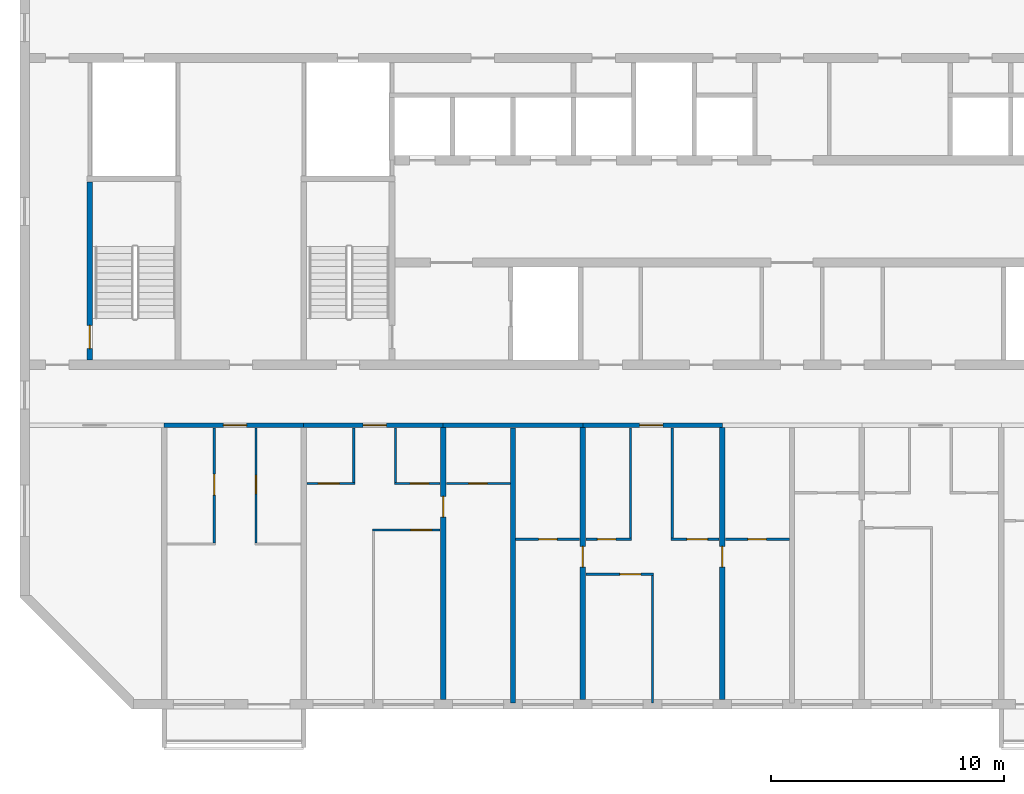
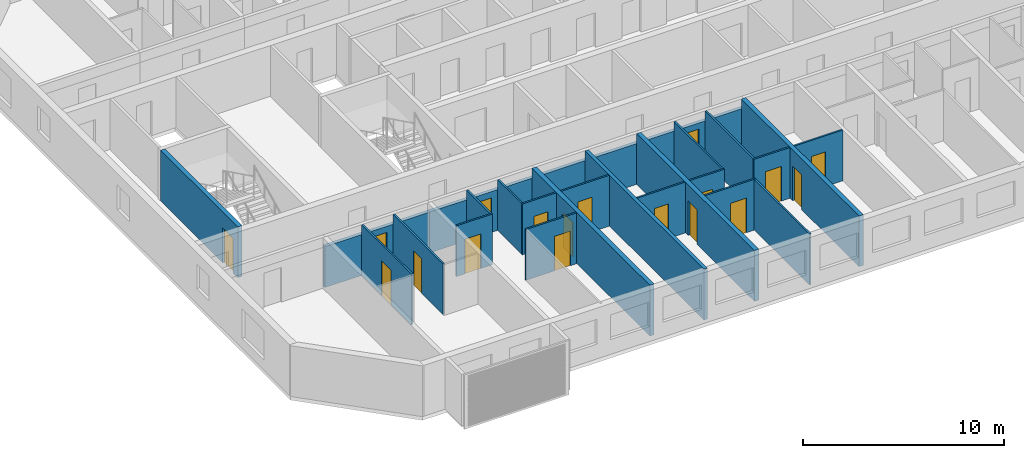
# One storey, part 2 of 28: 25 walls, 18 doors, 18 openings.
"""IFC4 building model written with IfcOpenShell, lengths in metres."""

from ifc_helpers import new_model, si_unit, direction, frame, frame_2d, origin, place, context, subcontext, project, spatial, rectangle, extrude, material, layer, layer_set, type_object, element, fill, save


model = new_model("IFC4")

# Units and contexts
model_context = context("Model", 3, precision=1e-05, world=origin(), true_north=direction((0.0, 1.0)))
body_context = subcontext(model_context, "Body", "Model", "MODEL_VIEW")
ifc_project = project(units=[si_unit("LENGTHUNIT", "METRE"), si_unit("AREAUNIT", "SQUARE_METRE"), si_unit("VOLUMEUNIT", "CUBIC_METRE"), si_unit("PLANEANGLEUNIT", "RADIAN"), si_unit("MASSUNIT", "GRAM", prefix="KILO")], contexts=[model_context])

# Site, building, storey
site_placement = place(None, origin())
site = spatial("IfcSite", under=ifc_project, at=site_placement, CompositionType="ELEMENT")
building_placement = place(site_placement, origin())
building = spatial("IfcBuilding", under=site, at=building_placement, Name="Poui Terraces", CompositionType="ELEMENT")
storey_placement = place(building_placement, frame((0.0, 0.0, 188.39990234375)))
storey = spatial("IfcBuildingStorey", under=building, at=storey_placement, Name="L52", CompositionType="ELEMENT", Elevation=188.39990234375)

# Wall, opening, door
ifc_material_1 = material(Name="Concrete 50 MPa", Category="concrete")
ifc_layer_1 = layer(ifc_material_1, 0.199951171875)
ifc_layer_set_1 = layer_set([ifc_layer_1], Name="Concrete 50 MPa")
wall_type_1 = type_object("IfcWallType", Name="CORRIDOR WALL 200 50MPa", PredefinedType="SHEAR", material=ifc_layer_set_1)
wall_1_placement = place(storey_placement, frame((24.0, 12.0, 0.0), z_axis=(0.0, 0.0, 1.0), x_axis=(1.0, 0.0, 0.0)))
wall_1 = element("IfcWall", 1, at=wall_1_placement, inside=storey, type_object=wall_type_1, Name="CORRIDOR WALL LINE B BAY 2", PredefinedType="SHEAR", context=body_context, shape_type="SweptSolid", body=[
    extrude(rectangle(XDim=6.0, YDim=0.199951171875, at=frame_2d((3.0, 0.0))), origin(), (0.0, 0.0, 1.0), 2.47998046875),
])
opening_1_placement = place(wall_1_placement, frame((2.550048828125, 0.0, 0.0)))
opening_1 = element("IfcOpeningElement", 2, at=opening_1_placement, cuts=wall_1, Name="Opening FD30S", PredefinedType="OPENING", context=body_context, shape_type="SweptSolid", body=[
    extrude(rectangle(XDim=1.0, YDim=2.10009765625, at=frame_2d((0.5, 1.050048828125))), frame((0.0, 0.10986328125, 0.0), z_axis=(0.0, -1.0, 0.0), x_axis=(1.0, 0.0, 0.0)), (0.0, 0.0, 1.0), 0.219970703125),
])
ifc_material_2 = material(Name="Steel fire door", Category="steel")
door_type_1 = type_object("IfcDoorType", Name="FLAT ENTRANCE DOOR 1000 X 2100", OperationType="NOTDEFINED", PredefinedType="DOOR", material=ifc_material_2)
door_1_placement = place(opening_1_placement, frame((1.0, 0.0, 0.0), z_axis=(0.0, 0.0, 1.0), x_axis=(-1.0, 0.0, 0.0)))
door_1 = element("IfcDoor", 3, at=door_1_placement, inside=storey, type_object=door_type_1, Name="FLAT ENTRANCE DOOR 066", OperationType="SINGLE_SWING_LEFT", OverallHeight=2.10009765625, OverallWidth=1.0, PredefinedType="DOOR", context=body_context, shape_type="SweptSolid", body=[
    extrude(rectangle(XDim=1.0, YDim=2.10009765625, at=frame_2d((0.5, 1.050048828125))), frame((0.0, 0.02490234375, 0.0), z_axis=(0.0, -1.0, 0.0), x_axis=(1.0, 0.0, 0.0)), (0.0, 0.0, 1.0), 0.050048828125),
])
fill(opening_1, door_1)

wall_2_placement = place(storey_placement, frame((30.0, 12.0, 0.0), z_axis=(0.0, 0.0, 1.0), x_axis=(1.0, 0.0, 0.0)))
wall_2 = element("IfcWall", 4, at=wall_2_placement, inside=storey, type_object=wall_type_1, Name="CORRIDOR WALL LINE B BAY 3", PredefinedType="SHEAR", context=body_context, shape_type="SweptSolid", body=[
    extrude(rectangle(XDim=6.0, YDim=0.199951171875, at=frame_2d((3.0, 0.0))), origin(), (0.0, 0.0, 1.0), 2.47998046875),
])
opening_2_placement = place(wall_2_placement, frame((2.550048828125, 0.0, 0.0)))
opening_2 = element("IfcOpeningElement", 5, at=opening_2_placement, cuts=wall_2, Name="Opening FD30S", PredefinedType="OPENING", context=body_context, shape_type="SweptSolid", body=[
    extrude(rectangle(XDim=1.0, YDim=2.10009765625, at=frame_2d((0.5, 1.050048828125))), frame((0.0, 0.10986328125, 0.0), z_axis=(0.0, -1.0, 0.0), x_axis=(1.0, 0.0, 0.0)), (0.0, 0.0, 1.0), 0.219970703125),
])
door_2_placement = place(opening_2_placement, frame((1.0, 0.0, 0.0), z_axis=(0.0, 0.0, 1.0), x_axis=(-1.0, 0.0, 0.0)))
door_2 = element("IfcDoor", 6, at=door_2_placement, inside=storey, type_object=door_type_1, Name="FLAT ENTRANCE DOOR 070", OperationType="SINGLE_SWING_LEFT", OverallHeight=2.10009765625, OverallWidth=1.0, PredefinedType="DOOR", context=body_context, shape_type="SweptSolid", body=[
    extrude(rectangle(XDim=1.0, YDim=2.10009765625, at=frame_2d((0.5, 1.050048828125))), frame((0.0, 0.02490234375, 0.0), z_axis=(0.0, -1.0, 0.0), x_axis=(1.0, 0.0, 0.0)), (0.0, 0.0, 1.0), 0.050048828125),
])
fill(opening_2, door_2)

# Wall
wall_3_placement = place(storey_placement, frame((36.0, 12.0, 0.0), z_axis=(0.0, 0.0, 1.0), x_axis=(1.0, 0.0, 0.0)))
element("IfcWall", 7, at=wall_3_placement, inside=storey, type_object=wall_type_1, Name="CORRIDOR WALL LINE B BAY 4", PredefinedType="SHEAR", context=body_context, shape_type="SweptSolid", body=[
    extrude(rectangle(XDim=6.0, YDim=0.199951171875, at=frame_2d((3.0, 0.0))), origin(), (0.0, 0.0, 1.0), 2.47998046875),
])

# Wall, opening, door
wall_4_placement = place(storey_placement, frame((42.0, 12.0, 0.0), z_axis=(0.0, 0.0, 1.0), x_axis=(1.0, 0.0, 0.0)))
wall_4 = element("IfcWall", 8, at=wall_4_placement, inside=storey, type_object=wall_type_1, Name="CORRIDOR WALL LINE B BAY 5", PredefinedType="SHEAR", context=body_context, shape_type="SweptSolid", body=[
    extrude(rectangle(XDim=6.0, YDim=0.199951171875, at=frame_2d((3.0, 0.0))), origin(), (0.0, 0.0, 1.0), 2.47998046875),
])
opening_3_placement = place(wall_4_placement, frame((2.449951171875, 0.0, 0.0)))
opening_3 = element("IfcOpeningElement", 9, at=opening_3_placement, cuts=wall_4, Name="Opening FD30S", PredefinedType="OPENING", context=body_context, shape_type="SweptSolid", body=[
    extrude(rectangle(XDim=1.0, YDim=2.10009765625, at=frame_2d((0.5, 1.050048828125))), frame((0.0, 0.10986328125, 0.0), z_axis=(0.0, -1.0, 0.0), x_axis=(1.0, 0.0, 0.0)), (0.0, 0.0, 1.0), 0.219970703125),
])
door_3_placement = place(opening_3_placement, frame((1.0, 0.0, 0.0), z_axis=(0.0, 0.0, 1.0), x_axis=(-1.0, 0.0, 0.0)))
door_3 = element("IfcDoor", 10, at=door_3_placement, inside=storey, type_object=door_type_1, Name="FLAT ENTRANCE DOOR 079", OperationType="SINGLE_SWING_RIGHT", OverallHeight=2.10009765625, OverallWidth=1.0, PredefinedType="DOOR", context=body_context, shape_type="SweptSolid", body=[
    extrude(rectangle(XDim=1.0, YDim=2.10009765625, at=frame_2d((0.5, 1.050048828125))), frame((0.0, 0.02490234375, 0.0), z_axis=(0.0, -1.0, 0.0), x_axis=(1.0, 0.0, 0.0)), (0.0, 0.0, 1.0), 0.050048828125),
])
fill(opening_3, door_3)

ifc_layer_2 = layer(ifc_material_1, 0.25)
ifc_layer_set_2 = layer_set([ifc_layer_2], Name="Concrete 50 MPa")
wall_type_2 = type_object("IfcWallType", Name="CROSS WALL 250 50MPa", PredefinedType="SHEAR", material=ifc_layer_set_2)
wall_5_placement = place(storey_placement, frame((36.0, 0.199951171875, 0.0), z_axis=(0.0, 0.0, 1.0), x_axis=(0.0, 1.0, 0.0)))
wall_5 = element("IfcWall", 11, at=wall_5_placement, inside=storey, type_object=wall_type_2, Name="CROSS WALL LINE 7 SOUTH", PredefinedType="SHEAR", context=body_context, shape_type="SweptSolid", body=[
    extrude(rectangle(XDim=11.699951171875, YDim=0.25, at=frame_2d((5.85009765625, 0.0))), origin(), (0.0, 0.0, 1.0), 3.080078125),
])
opening_4_placement = place(wall_5_placement, frame((7.85009765625, 0.0, 0.0)))
opening_4 = element("IfcOpeningElement", 12, at=opening_4_placement, cuts=wall_5, Name="Opening D90", PredefinedType="OPENING", context=body_context, shape_type="SweptSolid", body=[
    extrude(rectangle(XDim=0.89990234375, YDim=2.10009765625, at=frame_2d((0.449951171875, 1.050048828125))), frame((0.0, 0.135009765625, 0.0), z_axis=(0.0, -1.0, 0.0), x_axis=(1.0, 0.0, 0.0)), (0.0, 0.0, 1.0), 0.27001953125),
])
ifc_material_3 = material(Name="Solid core timber door", Category="wood")
door_type_2 = type_object("IfcDoorType", Name="INTERNAL DOOR 900 X 2100", OperationType="NOTDEFINED", PredefinedType="DOOR", material=ifc_material_3)
door_4_placement = place(opening_4_placement, frame((0.89990234375, 0.0, 0.0), z_axis=(0.0, 0.0, 1.0), x_axis=(-1.0, 0.0, 0.0)))
door_4 = element("IfcDoor", 13, at=door_4_placement, inside=storey, type_object=door_type_2, Name="INTERNAL DOOR 073", OperationType="SINGLE_SWING_LEFT", OverallHeight=2.10009765625, OverallWidth=0.89990234375, PredefinedType="DOOR", context=body_context, shape_type="SweptSolid", body=[
    extrude(rectangle(XDim=0.89990234375, YDim=2.10009765625, at=frame_2d((0.449951171875, 1.050048828125))), frame((0.0, 0.02490234375, 0.0), z_axis=(0.0, -1.0, 0.0), x_axis=(1.0, 0.0, 0.0)), (0.0, 0.0, 1.0), 0.050048828125),
])
fill(opening_4, door_4)

wall_6_placement = place(storey_placement, frame((42.0, 0.199951171875, 0.0), z_axis=(0.0, 0.0, 1.0), x_axis=(0.0, 1.0, 0.0)))
wall_6 = element("IfcWall", 14, at=wall_6_placement, inside=storey, type_object=wall_type_2, Name="CROSS WALL LINE 8 SOUTH", PredefinedType="SHEAR", context=body_context, shape_type="SweptSolid", body=[
    extrude(rectangle(XDim=11.699951171875, YDim=0.25, at=frame_2d((5.85009765625, 0.0))), origin(), (0.0, 0.0, 1.0), 3.080078125),
])
opening_5_placement = place(wall_6_placement, frame((5.699951171875, 0.0, 0.0)))
opening_5 = element("IfcOpeningElement", 15, at=opening_5_placement, cuts=wall_6, Name="Opening D90", PredefinedType="OPENING", context=body_context, shape_type="SweptSolid", body=[
    extrude(rectangle(XDim=0.89990234375, YDim=2.10009765625, at=frame_2d((0.449951171875, 1.050048828125))), frame((0.0, 0.135009765625, 0.0), z_axis=(0.0, -1.0, 0.0), x_axis=(1.0, 0.0, 0.0)), (0.0, 0.0, 1.0), 0.27001953125),
])
door_5_placement = place(opening_5_placement, origin())
door_5 = element("IfcDoor", 16, at=door_5_placement, inside=storey, type_object=door_type_2, Name="INTERNAL DOOR 076", OperationType="SINGLE_SWING_RIGHT", OverallHeight=2.10009765625, OverallWidth=0.89990234375, PredefinedType="DOOR", context=body_context, shape_type="SweptSolid", body=[
    extrude(rectangle(XDim=0.89990234375, YDim=2.10009765625, at=frame_2d((0.449951171875, 1.050048828125))), frame((0.0, 0.02490234375, 0.0), z_axis=(0.0, -1.0, 0.0), x_axis=(1.0, 0.0, 0.0)), (0.0, 0.0, 1.0), 0.050048828125),
])
fill(opening_5, door_5)

wall_7_placement = place(storey_placement, frame((48.0, 0.199951171875, 0.0), z_axis=(0.0, 0.0, 1.0), x_axis=(0.0, 1.0, 0.0)))
wall_7 = element("IfcWall", 17, at=wall_7_placement, inside=storey, type_object=wall_type_2, Name="CROSS WALL LINE 9 SOUTH", PredefinedType="SHEAR", context=body_context, shape_type="SweptSolid", body=[
    extrude(rectangle(XDim=11.699951171875, YDim=0.25, at=frame_2d((5.85009765625, 0.0))), origin(), (0.0, 0.0, 1.0), 3.080078125),
])
opening_6_placement = place(wall_7_placement, frame((5.699951171875, 0.0, 0.0)))
opening_6 = element("IfcOpeningElement", 18, at=opening_6_placement, cuts=wall_7, Name="Opening D90", PredefinedType="OPENING", context=body_context, shape_type="SweptSolid", body=[
    extrude(rectangle(XDim=0.89990234375, YDim=2.10009765625, at=frame_2d((0.449951171875, 1.050048828125))), frame((0.0, 0.135009765625, 0.0), z_axis=(0.0, -1.0, 0.0), x_axis=(1.0, 0.0, 0.0)), (0.0, 0.0, 1.0), 0.27001953125),
])
door_6_placement = place(opening_6_placement, frame((0.89990234375, 0.0, 0.0), z_axis=(0.0, 0.0, 1.0), x_axis=(-1.0, 0.0, 0.0)))
door_6 = element("IfcDoor", 19, at=door_6_placement, inside=storey, type_object=door_type_2, Name="INTERNAL DOOR 081", OperationType="SINGLE_SWING_LEFT", OverallHeight=2.10009765625, OverallWidth=0.89990234375, PredefinedType="DOOR", context=body_context, shape_type="SweptSolid", body=[
    extrude(rectangle(XDim=0.89990234375, YDim=2.10009765625, at=frame_2d((0.449951171875, 1.050048828125))), frame((0.0, 0.02490234375, 0.0), z_axis=(0.0, -1.0, 0.0), x_axis=(1.0, 0.0, 0.0)), (0.0, 0.0, 1.0), 0.050048828125),
])
fill(opening_6, door_6)

ifc_material_4 = material(Name="Plasterboard partition")
ifc_layer_3 = layer(ifc_material_4, 0.10009765625)
ifc_layer_set_3 = layer_set([ifc_layer_3], Name="Plasterboard partition")
wall_type_3 = type_object("IfcWallType", Name="FLAT PARTITION 100", PredefinedType="PARTITIONING", material=ifc_layer_set_3)
wall_8_placement = place(storey_placement, frame((42.135009765625, 5.60009765625, 0.0), z_axis=(0.0, 0.0, 1.0), x_axis=(1.0, 0.0, 0.0)))
wall_8 = element("IfcWall", 20, at=wall_8_placement, inside=storey, type_object=wall_type_3, Name="FLAT PARTITION 100", PredefinedType="PARTITIONING", context=body_context, shape_type="SweptSolid", body=[
    extrude(rectangle(XDim=2.9150390625, YDim=0.10009765625, at=frame_2d((1.45751953125, 0.0))), origin(), (0.0, 0.0, 1.0), 3.080078125),
])
opening_7_placement = place(wall_8_placement, frame((1.465087890625, 0.0, 0.0)))
opening_7 = element("IfcOpeningElement", 21, at=opening_7_placement, cuts=wall_8, Name="Opening D90", PredefinedType="OPENING", context=body_context, shape_type="SweptSolid", body=[
    extrude(rectangle(XDim=0.89990234375, YDim=2.10009765625, at=frame_2d((0.449951171875, 1.050048828125))), frame((0.0, 0.06005859375, 0.0), z_axis=(0.0, -1.0, 0.0), x_axis=(1.0, 0.0, 0.0)), (0.0, 0.0, 1.0), 0.1201171875),
])
door_7_placement = place(opening_7_placement, origin())
door_7 = element("IfcDoor", 22, at=door_7_placement, inside=storey, type_object=door_type_2, Name="INTERNAL DOOR 078", OperationType="SINGLE_SWING_LEFT", OverallHeight=2.10009765625, OverallWidth=0.89990234375, PredefinedType="DOOR", context=body_context, shape_type="SweptSolid", body=[
    extrude(rectangle(XDim=0.89990234375, YDim=2.10009765625, at=frame_2d((0.449951171875, 1.050048828125))), frame((0.0, 0.02490234375, 0.0), z_axis=(0.0, -1.0, 0.0), x_axis=(1.0, 0.0, 0.0)), (0.0, 0.0, 1.0), 0.050048828125),
])
fill(opening_7, door_7)

wall_9_placement = place(storey_placement, frame((39.10009765625, 7.10009765625, 0.0), z_axis=(0.0, 0.0, 1.0), x_axis=(1.0, 0.0, 0.0)))
wall_9 = element("IfcWall", 23, at=wall_9_placement, inside=storey, type_object=wall_type_3, Name="FLAT PARTITION 100", PredefinedType="PARTITIONING", context=body_context, shape_type="SweptSolid", body=[
    extrude(rectangle(XDim=2.764892578125, YDim=0.10009765625, at=frame_2d((1.38232421875, 0.0))), origin(), (0.0, 0.0, 1.0), 3.080078125),
])
opening_8_placement = place(wall_9_placement, frame((1.0, 0.0, 0.0)))
opening_8 = element("IfcOpeningElement", 24, at=opening_8_placement, cuts=wall_9, Name="Opening D80", PredefinedType="OPENING", context=body_context, shape_type="SweptSolid", body=[
    extrude(rectangle(XDim=0.800048828125, YDim=2.10009765625, at=frame_2d((0.39990234375, 1.050048828125))), frame((0.0, 0.06005859375, 0.0), z_axis=(0.0, -1.0, 0.0), x_axis=(1.0, 0.0, 0.0)), (0.0, 0.0, 1.0), 0.1201171875),
])
door_type_3 = type_object("IfcDoorType", Name="BATHROOM, LAUNDRY AND STORE DOOR 800 X 2100", OperationType="NOTDEFINED", PredefinedType="DOOR", material=ifc_material_3)
door_8_placement = place(opening_8_placement, origin())
door_8 = element("IfcDoor", 25, at=door_8_placement, inside=storey, type_object=door_type_3, Name="BATHROOM, LAUNDRY AND STORE DOOR 074", OperationType="SINGLE_SWING_RIGHT", OverallHeight=2.10009765625, OverallWidth=0.800048828125, PredefinedType="DOOR", context=body_context, shape_type="SweptSolid", body=[
    extrude(rectangle(XDim=0.800048828125, YDim=2.10009765625, at=frame_2d((0.39990234375, 1.050048828125))), frame((0.0, 0.02490234375, 0.0), z_axis=(0.0, -1.0, 0.0), x_axis=(1.0, 0.0, 0.0)), (0.0, 0.0, 1.0), 0.050048828125),
])
fill(opening_8, door_8)

wall_10_placement = place(storey_placement, frame((42.135009765625, 7.10009765625, 0.0), z_axis=(0.0, 0.0, 1.0), x_axis=(1.0, 0.0, 0.0)))
wall_10 = element("IfcWall", 26, at=wall_10_placement, inside=storey, type_object=wall_type_3, Name="FLAT PARTITION 100", PredefinedType="PARTITIONING", context=body_context, shape_type="SweptSolid", body=[
    extrude(rectangle(XDim=1.965087890625, YDim=0.10009765625, at=frame_2d((0.982421875, 0.0))), origin(), (0.0, 0.0, 1.0), 3.080078125),
])
opening_9_placement = place(wall_10_placement, frame((0.489990234375, 0.0, 0.0)))
opening_9 = element("IfcOpeningElement", 27, at=opening_9_placement, cuts=wall_10, Name="Opening D80", PredefinedType="OPENING", context=body_context, shape_type="SweptSolid", body=[
    extrude(rectangle(XDim=0.800048828125, YDim=2.10009765625, at=frame_2d((0.39990234375, 1.050048828125))), frame((0.0, 0.06005859375, 0.0), z_axis=(0.0, -1.0, 0.0), x_axis=(1.0, 0.0, 0.0)), (0.0, 0.0, 1.0), 0.1201171875),
])
door_9_placement = place(opening_9_placement, origin())
door_9 = element("IfcDoor", 28, at=door_9_placement, inside=storey, type_object=door_type_3, Name="BATHROOM, LAUNDRY AND STORE DOOR 077", OperationType="SINGLE_SWING_RIGHT", OverallHeight=2.10009765625, OverallWidth=0.800048828125, PredefinedType="DOOR", context=body_context, shape_type="SweptSolid", body=[
    extrude(rectangle(XDim=0.800048828125, YDim=2.10009765625, at=frame_2d((0.39990234375, 1.050048828125))), frame((0.0, 0.02490234375, 0.0), z_axis=(0.0, -1.0, 0.0), x_axis=(1.0, 0.0, 0.0)), (0.0, 0.0, 1.0), 0.050048828125),
])
fill(opening_9, door_9)

wall_11_placement = place(storey_placement, frame((45.800048828125, 7.10009765625, 0.0), z_axis=(0.0, 0.0, 1.0), x_axis=(1.0, 0.0, 0.0)))
wall_11 = element("IfcWall", 29, at=wall_11_placement, inside=storey, type_object=wall_type_3, Name="FLAT PARTITION 100", PredefinedType="PARTITIONING", context=body_context, shape_type="SweptSolid", body=[
    extrude(rectangle(XDim=2.06494140625, YDim=0.10009765625, at=frame_2d((1.032470703125, 0.0))), origin(), (0.0, 0.0, 1.0), 3.080078125),
])
opening_10_placement = place(wall_11_placement, frame((0.675048828125, 0.0, 0.0)))
opening_10 = element("IfcOpeningElement", 30, at=opening_10_placement, cuts=wall_11, Name="Opening D90", PredefinedType="OPENING", context=body_context, shape_type="SweptSolid", body=[
    extrude(rectangle(XDim=0.89990234375, YDim=2.10009765625, at=frame_2d((0.449951171875, 1.050048828125))), frame((0.0, 0.06005859375, 0.0), z_axis=(0.0, -1.0, 0.0), x_axis=(1.0, 0.0, 0.0)), (0.0, 0.0, 1.0), 0.1201171875),
])
door_10_placement = place(opening_10_placement, origin())
door_10 = element("IfcDoor", 31, at=door_10_placement, inside=storey, type_object=door_type_2, Name="INTERNAL DOOR 080", OperationType="SINGLE_SWING_LEFT", OverallHeight=2.10009765625, OverallWidth=0.89990234375, PredefinedType="DOOR", context=body_context, shape_type="SweptSolid", body=[
    extrude(rectangle(XDim=0.89990234375, YDim=2.10009765625, at=frame_2d((0.449951171875, 1.050048828125))), frame((0.0, 0.02490234375, 0.0), z_axis=(0.0, -1.0, 0.0), x_axis=(1.0, 0.0, 0.0)), (0.0, 0.0, 1.0), 0.050048828125),
])
fill(opening_10, door_10)

wall_12_placement = place(storey_placement, frame((48.135009765625, 7.10009765625, 0.0), z_axis=(0.0, 0.0, 1.0), x_axis=(1.0, 0.0, 0.0)))
wall_12 = element("IfcWall", 32, at=wall_12_placement, inside=storey, type_object=wall_type_3, Name="FLAT PARTITION 100", PredefinedType="PARTITIONING", context=body_context, shape_type="SweptSolid", body=[
    extrude(rectangle(XDim=2.764892578125, YDim=0.10009765625, at=frame_2d((1.38232421875, 0.0))), origin(), (0.0, 0.0, 1.0), 3.080078125),
])
opening_11_placement = place(wall_12_placement, frame((0.965087890625, 0.0, 0.0)))
opening_11 = element("IfcOpeningElement", 33, at=opening_11_placement, cuts=wall_12, Name="Opening D80", PredefinedType="OPENING", context=body_context, shape_type="SweptSolid", body=[
    extrude(rectangle(XDim=0.800048828125, YDim=2.10009765625, at=frame_2d((0.39990234375, 1.050048828125))), frame((0.0, 0.06005859375, 0.0), z_axis=(0.0, -1.0, 0.0), x_axis=(1.0, 0.0, 0.0)), (0.0, 0.0, 1.0), 0.1201171875),
])
door_11_placement = place(opening_11_placement, origin())
door_11 = element("IfcDoor", 34, at=door_11_placement, inside=storey, type_object=door_type_3, Name="BATHROOM, LAUNDRY AND STORE DOOR 075", OperationType="SINGLE_SWING_RIGHT", OverallHeight=2.10009765625, OverallWidth=0.800048828125, PredefinedType="DOOR", context=body_context, shape_type="SweptSolid", body=[
    extrude(rectangle(XDim=0.800048828125, YDim=2.10009765625, at=frame_2d((0.39990234375, 1.050048828125))), frame((0.0, 0.02490234375, 0.0), z_axis=(0.0, -1.0, 0.0), x_axis=(1.0, 0.0, 0.0)), (0.0, 0.0, 1.0), 0.050048828125),
])
fill(opening_11, door_11)

wall_13_placement = place(storey_placement, frame((32.949951171875, 7.5, 0.0), z_axis=(0.0, 0.0, 1.0), x_axis=(1.0, 0.0, 0.0)))
wall_13 = element("IfcWall", 35, at=wall_13_placement, inside=storey, type_object=wall_type_3, Name="FLAT PARTITION 100", PredefinedType="PARTITIONING", context=body_context, shape_type="SweptSolid", body=[
    extrude(rectangle(XDim=2.9150390625, YDim=0.10009765625, at=frame_2d((1.45751953125, 0.0))), origin(), (0.0, 0.0, 1.0), 3.080078125),
])
opening_12_placement = place(wall_13_placement, frame((1.64990234375, 0.0, 0.0)))
opening_12 = element("IfcOpeningElement", 36, at=opening_12_placement, cuts=wall_13, Name="Opening D90", PredefinedType="OPENING", context=body_context, shape_type="SweptSolid", body=[
    extrude(rectangle(XDim=0.89990234375, YDim=2.10009765625, at=frame_2d((0.449951171875, 1.050048828125))), frame((0.0, 0.06005859375, 0.0), z_axis=(0.0, -1.0, 0.0), x_axis=(1.0, 0.0, 0.0)), (0.0, 0.0, 1.0), 0.1201171875),
])
door_12_placement = place(opening_12_placement, origin())
door_12 = element("IfcDoor", 37, at=door_12_placement, inside=storey, type_object=door_type_2, Name="INTERNAL DOOR 072", OperationType="SINGLE_SWING_LEFT", OverallHeight=2.10009765625, OverallWidth=0.89990234375, PredefinedType="DOOR", context=body_context, shape_type="SweptSolid", body=[
    extrude(rectangle(XDim=0.89990234375, YDim=2.10009765625, at=frame_2d((0.449951171875, 1.050048828125))), frame((0.0, 0.02490234375, 0.0), z_axis=(0.0, -1.0, 0.0), x_axis=(1.0, 0.0, 0.0)), (0.0, 0.0, 1.0), 0.050048828125),
])
fill(opening_12, door_12)

wall_14_placement = place(storey_placement, frame((30.135009765625, 9.5, 0.0), z_axis=(0.0, 0.0, 1.0), x_axis=(1.0, 0.0, 0.0)))
wall_14 = element("IfcWall", 38, at=wall_14_placement, inside=storey, type_object=wall_type_3, Name="FLAT PARTITION 100", PredefinedType="PARTITIONING", context=body_context, shape_type="SweptSolid", body=[
    extrude(rectangle(XDim=2.06494140625, YDim=0.10009765625, at=frame_2d((1.032470703125, 0.0))), origin(), (0.0, 0.0, 1.0), 3.080078125),
])
opening_13_placement = place(wall_14_placement, frame((0.489990234375, 0.0, 0.0)))
opening_13 = element("IfcOpeningElement", 39, at=opening_13_placement, cuts=wall_14, Name="Opening D90", PredefinedType="OPENING", context=body_context, shape_type="SweptSolid", body=[
    extrude(rectangle(XDim=0.89990234375, YDim=2.10009765625, at=frame_2d((0.449951171875, 1.050048828125))), frame((0.0, 0.06005859375, 0.0), z_axis=(0.0, -1.0, 0.0), x_axis=(1.0, 0.0, 0.0)), (0.0, 0.0, 1.0), 0.1201171875),
])
door_13_placement = place(opening_13_placement, origin())
door_13 = element("IfcDoor", 40, at=door_13_placement, inside=storey, type_object=door_type_2, Name="INTERNAL DOOR 069", OperationType="SINGLE_SWING_LEFT", OverallHeight=2.10009765625, OverallWidth=0.89990234375, PredefinedType="DOOR", context=body_context, shape_type="SweptSolid", body=[
    extrude(rectangle(XDim=0.89990234375, YDim=2.10009765625, at=frame_2d((0.449951171875, 1.050048828125))), frame((0.0, 0.02490234375, 0.0), z_axis=(0.0, -1.0, 0.0), x_axis=(1.0, 0.0, 0.0)), (0.0, 0.0, 1.0), 0.050048828125),
])
fill(opening_13, door_13)

wall_15_placement = place(storey_placement, frame((33.89990234375, 9.5, 0.0), z_axis=(0.0, 0.0, 1.0), x_axis=(1.0, 0.0, 0.0)))
wall_15 = element("IfcWall", 41, at=wall_15_placement, inside=storey, type_object=wall_type_3, Name="FLAT PARTITION 100", PredefinedType="PARTITIONING", context=body_context, shape_type="SweptSolid", body=[
    extrude(rectangle(XDim=1.965087890625, YDim=0.10009765625, at=frame_2d((0.982421875, 0.0))), origin(), (0.0, 0.0, 1.0), 3.080078125),
])
opening_14_placement = place(wall_15_placement, frame((0.675048828125, 0.0, 0.0)))
opening_14 = element("IfcOpeningElement", 42, at=opening_14_placement, cuts=wall_15, Name="Opening D80", PredefinedType="OPENING", context=body_context, shape_type="SweptSolid", body=[
    extrude(rectangle(XDim=0.800048828125, YDim=2.10009765625, at=frame_2d((0.39990234375, 1.050048828125))), frame((0.0, 0.06005859375, 0.0), z_axis=(0.0, -1.0, 0.0), x_axis=(1.0, 0.0, 0.0)), (0.0, 0.0, 1.0), 0.1201171875),
])
door_14_placement = place(opening_14_placement, origin())
door_14 = element("IfcDoor", 43, at=door_14_placement, inside=storey, type_object=door_type_3, Name="BATHROOM, LAUNDRY AND STORE DOOR 071", OperationType="SINGLE_SWING_RIGHT", OverallHeight=2.10009765625, OverallWidth=0.800048828125, PredefinedType="DOOR", context=body_context, shape_type="SweptSolid", body=[
    extrude(rectangle(XDim=0.800048828125, YDim=2.10009765625, at=frame_2d((0.39990234375, 1.050048828125))), frame((0.0, 0.02490234375, 0.0), z_axis=(0.0, -1.0, 0.0), x_axis=(1.0, 0.0, 0.0)), (0.0, 0.0, 1.0), 0.050048828125),
])
fill(opening_14, door_14)

wall_16_placement = place(storey_placement, frame((36.135009765625, 9.5, 0.0), z_axis=(0.0, 0.0, 1.0), x_axis=(1.0, 0.0, 0.0)))
wall_16 = element("IfcWall", 44, at=wall_16_placement, inside=storey, type_object=wall_type_3, Name="FLAT PARTITION 100", PredefinedType="PARTITIONING", context=body_context, shape_type="SweptSolid", body=[
    extrude(rectangle(XDim=2.764892578125, YDim=0.10009765625, at=frame_2d((1.38232421875, 0.0))), origin(), (0.0, 0.0, 1.0), 3.080078125),
])
opening_15_placement = place(wall_16_placement, frame((0.965087890625, 0.0, 0.0)))
opening_15 = element("IfcOpeningElement", 45, at=opening_15_placement, cuts=wall_16, Name="Opening D80", PredefinedType="OPENING", context=body_context, shape_type="SweptSolid", body=[
    extrude(rectangle(XDim=0.800048828125, YDim=2.10009765625, at=frame_2d((0.39990234375, 1.050048828125))), frame((0.0, 0.06005859375, 0.0), z_axis=(0.0, -1.0, 0.0), x_axis=(1.0, 0.0, 0.0)), (0.0, 0.0, 1.0), 0.1201171875),
])
door_15_placement = place(opening_15_placement, origin())
door_15 = element("IfcDoor", 46, at=door_15_placement, inside=storey, type_object=door_type_3, Name="BATHROOM, LAUNDRY AND STORE DOOR 068", OperationType="SINGLE_SWING_LEFT", OverallHeight=2.10009765625, OverallWidth=0.800048828125, PredefinedType="DOOR", context=body_context, shape_type="SweptSolid", body=[
    extrude(rectangle(XDim=0.800048828125, YDim=2.10009765625, at=frame_2d((0.39990234375, 1.050048828125))), frame((0.0, 0.02490234375, 0.0), z_axis=(0.0, -1.0, 0.0), x_axis=(1.0, 0.0, 0.0)), (0.0, 0.0, 1.0), 0.050048828125),
])
fill(opening_15, door_15)

wall_17_placement = place(storey_placement, frame((26.14990234375, 6.949951171875, 0.0), z_axis=(0.0, 0.0, 1.0), x_axis=(0.0, 1.0, 0.0)))
wall_17 = element("IfcWall", 47, at=wall_17_placement, inside=storey, type_object=wall_type_3, Name="FLAT PARTITION 100", PredefinedType="PARTITIONING", context=body_context, shape_type="SweptSolid", body=[
    extrude(rectangle(XDim=4.93994140625, YDim=0.10009765625, at=frame_2d((2.469970703125, 0.0))), origin(), (0.0, 0.0, 1.0), 3.080078125),
])
opening_16_placement = place(wall_17_placement, frame((2.050048828125, 0.0, 0.0)))
opening_16 = element("IfcOpeningElement", 48, at=opening_16_placement, cuts=wall_17, Name="Opening D90", PredefinedType="OPENING", context=body_context, shape_type="SweptSolid", body=[
    extrude(rectangle(XDim=0.89990234375, YDim=2.10009765625, at=frame_2d((0.449951171875, 1.050048828125))), frame((0.0, 0.06005859375, 0.0), z_axis=(0.0, -1.0, 0.0), x_axis=(1.0, 0.0, 0.0)), (0.0, 0.0, 1.0), 0.1201171875),
])
door_16_placement = place(opening_16_placement, origin())
door_16 = element("IfcDoor", 49, at=door_16_placement, inside=storey, type_object=door_type_2, Name="INTERNAL DOOR 065", OperationType="SINGLE_SWING_LEFT", OverallHeight=2.10009765625, OverallWidth=0.89990234375, PredefinedType="DOOR", context=body_context, shape_type="SweptSolid", body=[
    extrude(rectangle(XDim=0.89990234375, YDim=2.10009765625, at=frame_2d((0.449951171875, 1.050048828125))), frame((0.0, 0.02490234375, 0.0), z_axis=(0.0, -1.0, 0.0), x_axis=(1.0, 0.0, 0.0)), (0.0, 0.0, 1.0), 0.050048828125),
])
fill(opening_16, door_16)

wall_18_placement = place(storey_placement, frame((27.949951171875, 6.949951171875, 0.0), z_axis=(0.0, 0.0, 1.0), x_axis=(0.0, 1.0, 0.0)))
wall_18 = element("IfcWall", 50, at=wall_18_placement, inside=storey, type_object=wall_type_3, Name="FLAT PARTITION 100", PredefinedType="PARTITIONING", context=body_context, shape_type="SweptSolid", body=[
    extrude(rectangle(XDim=4.93994140625, YDim=0.10009765625, at=frame_2d((2.469970703125, 0.0))), origin(), (0.0, 0.0, 1.0), 3.080078125),
])
opening_17_placement = place(wall_18_placement, frame((2.10009765625, 0.0, 0.0)))
opening_17 = element("IfcOpeningElement", 51, at=opening_17_placement, cuts=wall_18, Name="Opening D80", PredefinedType="OPENING", context=body_context, shape_type="SweptSolid", body=[
    extrude(rectangle(XDim=0.800048828125, YDim=2.10009765625, at=frame_2d((0.39990234375, 1.050048828125))), frame((0.0, 0.06005859375, 0.0), z_axis=(0.0, -1.0, 0.0), x_axis=(1.0, 0.0, 0.0)), (0.0, 0.0, 1.0), 0.1201171875),
])
door_17_placement = place(opening_17_placement, frame((0.800048828125, 0.0, 0.0), z_axis=(0.0, 0.0, 1.0), x_axis=(-1.0, 0.0, 0.0)))
door_17 = element("IfcDoor", 52, at=door_17_placement, inside=storey, type_object=door_type_3, Name="BATHROOM, LAUNDRY AND STORE DOOR 067", OperationType="SINGLE_SWING_LEFT", OverallHeight=2.10009765625, OverallWidth=0.800048828125, PredefinedType="DOOR", context=body_context, shape_type="SweptSolid", body=[
    extrude(rectangle(XDim=0.800048828125, YDim=2.10009765625, at=frame_2d((0.39990234375, 1.050048828125))), frame((0.0, 0.02490234375, 0.0), z_axis=(0.0, -1.0, 0.0), x_axis=(1.0, 0.0, 0.0)), (0.0, 0.0, 1.0), 0.050048828125),
])
fill(opening_17, door_17)

# Walls
for number, where, z_axis, x_axis, name in (
    (53, (32.14990234375, 9.550048828125, 0.0), (0.0, 0.0, 1.0), (0.0, 1.0, 0.0), "FLAT PARTITION 100"),
    (54, (33.949951171875, 9.550048828125, 0.0), (0.0, 0.0, 1.0), (0.0, 1.0, 0.0), "FLAT PARTITION 100"),
):
    element("IfcWall", number, at=place(storey_placement, frame(where, z_axis=z_axis, x_axis=x_axis)), inside=storey, type_object=wall_type_3, Name=name, PredefinedType="PARTITIONING", context=body_context, shape_type="SweptSolid", body=[
        extrude(rectangle(XDim=2.33984375, YDim=0.10009765625, at=frame_2d((1.169921875, 0.0))), origin(), (0.0, 0.0, 1.0), 3.080078125),
    ])
wall_19_placement = place(storey_placement, frame((44.050048828125, 7.14990234375, 0.0), z_axis=(0.0, 0.0, 1.0), x_axis=(0.0, 1.0, 0.0)))
element("IfcWall", 55, at=wall_19_placement, inside=storey, type_object=wall_type_3, Name="FLAT PARTITION 100", PredefinedType="PARTITIONING", context=body_context, shape_type="SweptSolid", body=[
    extrude(rectangle(XDim=4.739990234375, YDim=0.10009765625, at=frame_2d((2.3701171875, 0.0))), origin(), (0.0, 0.0, 1.0), 3.080078125),
])
wall_20_placement = place(storey_placement, frame((45.0, 0.06005859375, 0.0), z_axis=(0.0, 0.0, 1.0), x_axis=(0.0, 1.0, 0.0)))
element("IfcWall", 56, at=wall_20_placement, inside=storey, type_object=wall_type_3, Name="FLAT PARTITION 100", PredefinedType="PARTITIONING", context=body_context, shape_type="SweptSolid", body=[
    extrude(rectangle(XDim=5.489990234375, YDim=0.10009765625, at=frame_2d((2.7451171875, 0.0))), origin(), (0.0, 0.0, 1.0), 3.080078125),
])
wall_21_placement = place(storey_placement, frame((45.85009765625, 7.14990234375, 0.0), z_axis=(0.0, 0.0, 1.0), x_axis=(0.0, 1.0, 0.0)))
element("IfcWall", 57, at=wall_21_placement, inside=storey, type_object=wall_type_3, Name="FLAT PARTITION 100", PredefinedType="PARTITIONING", context=body_context, shape_type="SweptSolid", body=[
    extrude(rectangle(XDim=4.739990234375, YDim=0.10009765625, at=frame_2d((2.3701171875, 0.0))), origin(), (0.0, 0.0, 1.0), 3.080078125),
])
ifc_material_5 = material(Name="Fire-rated masonry wall", Category="masonry")
ifc_layer_4 = layer(ifc_material_5, 0.199951171875)
ifc_layer_set_4 = layer_set([ifc_layer_4], Name="Fire-rated masonry wall")
wall_type_4 = type_object("IfcWallType", Name="FLAT PARTY WALL 200", PredefinedType="PARTITIONING", material=ifc_layer_set_4)
wall_22_placement = place(storey_placement, frame((39.0, 0.06005859375, 0.0), z_axis=(0.0, 0.0, 1.0), x_axis=(0.0, 1.0, 0.0)))
element("IfcWall", 58, at=wall_22_placement, inside=storey, type_object=wall_type_4, Name="FLAT PARTY WALL 200", PredefinedType="PARTITIONING", context=body_context, shape_type="SweptSolid", body=[
    extrude(rectangle(XDim=11.829833984375, YDim=0.199951171875, at=frame_2d((5.9150390625, 0.0))), origin(), (0.0, 0.0, 1.0), 3.080078125),
])

# Wall, opening, door
ifc_layer_5 = layer(ifc_material_1, 0.25)
ifc_layer_set_5 = layer_set([ifc_layer_5], Name="Concrete 50 MPa")
wall_type_5 = type_object("IfcWallType", Name="STAIR CORE WALL 250 50 MPA", PredefinedType="SOLIDWALL", material=ifc_layer_set_5)
wall_23_placement = place(storey_placement, frame((20.800048828125, 14.800048828125, 0.0), z_axis=(0.0, 0.0, 1.0), x_axis=(0.0, 1.0, 0.0)))
wall_23 = element("IfcWall", 59, at=wall_23_placement, inside=storey, type_object=wall_type_5, Name="STAIR CORE WALL", PredefinedType="SOLIDWALL", context=body_context, shape_type="SweptSolid", body=[
    extrude(rectangle(XDim=7.675048828125, YDim=0.25, at=frame_2d((3.83740234375, 0.0))), origin(), (0.0, 0.0, 1.0), 3.080078125),
])
opening_18_placement = place(wall_23_placement, frame((0.5, 0.0, 0.0)))
opening_18 = element("IfcOpeningElement", 60, at=opening_18_placement, cuts=wall_23, Name="Opening FD60S", PredefinedType="OPENING", context=body_context, shape_type="SweptSolid", body=[
    extrude(rectangle(XDim=1.0, YDim=2.10009765625, at=frame_2d((0.5, 1.050048828125))), frame((0.0, 0.135009765625, 0.0), z_axis=(0.0, -1.0, 0.0), x_axis=(1.0, 0.0, 0.0)), (0.0, 0.0, 1.0), 0.27001953125),
])
door_type_4 = type_object("IfcDoorType", Name="STAIR DOOR 1000 X 2100", OperationType="NOTDEFINED", PredefinedType="DOOR", material=ifc_material_2)
door_18_placement = place(opening_18_placement, frame((1.0, 0.0, 0.0), z_axis=(0.0, 0.0, 1.0), x_axis=(-1.0, 0.0, 0.0)))
door_18 = element("IfcDoor", 61, at=door_18_placement, inside=storey, type_object=door_type_4, Name="STAIR DOOR 118", OperationType="SINGLE_SWING_RIGHT", OverallHeight=2.10009765625, OverallWidth=1.0, PredefinedType="DOOR", context=body_context, shape_type="SweptSolid", body=[
    extrude(rectangle(XDim=1.0, YDim=2.10009765625, at=frame_2d((0.5, 1.050048828125))), frame((0.0, 0.02490234375, 0.0), z_axis=(0.0, -1.0, 0.0), x_axis=(1.0, 0.0, 0.0)), (0.0, 0.0, 1.0), 0.050048828125),
])
fill(opening_18, door_18)

save(model, "model.ifc")
